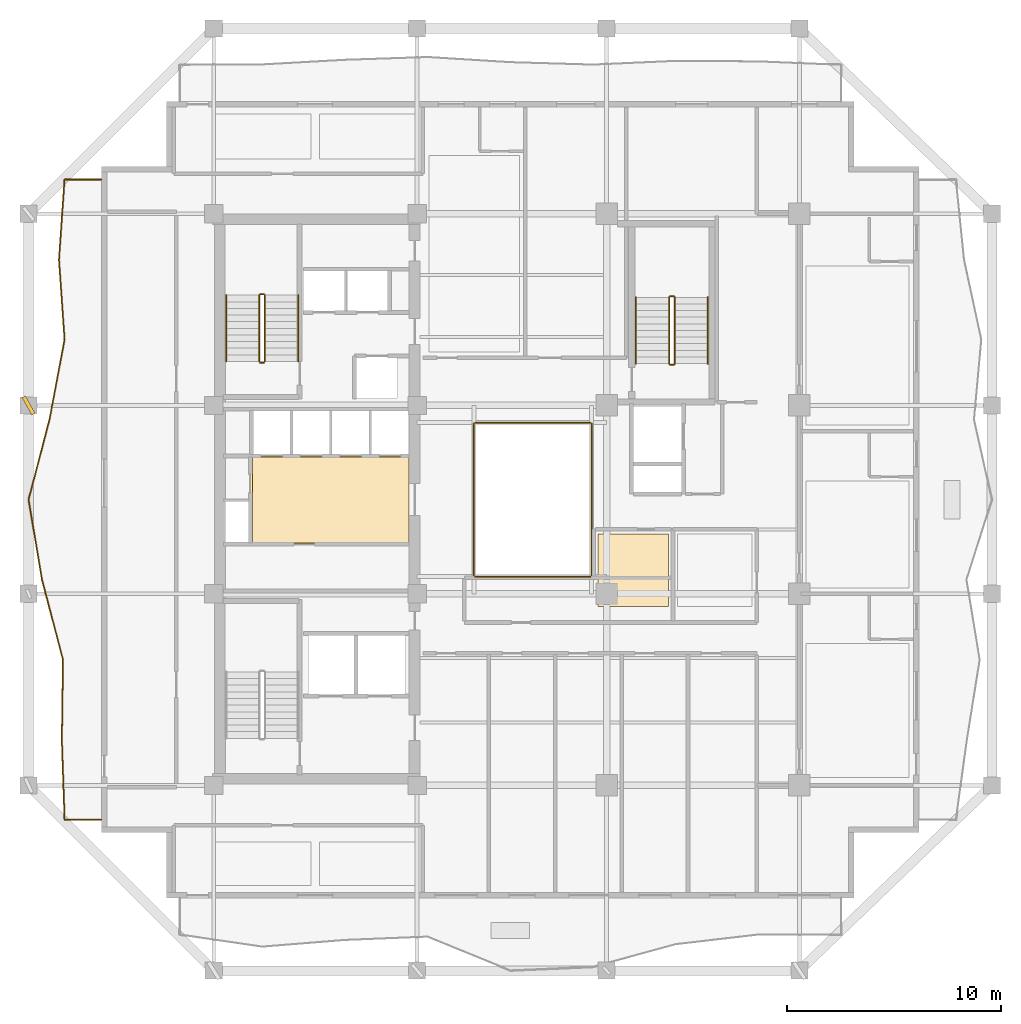
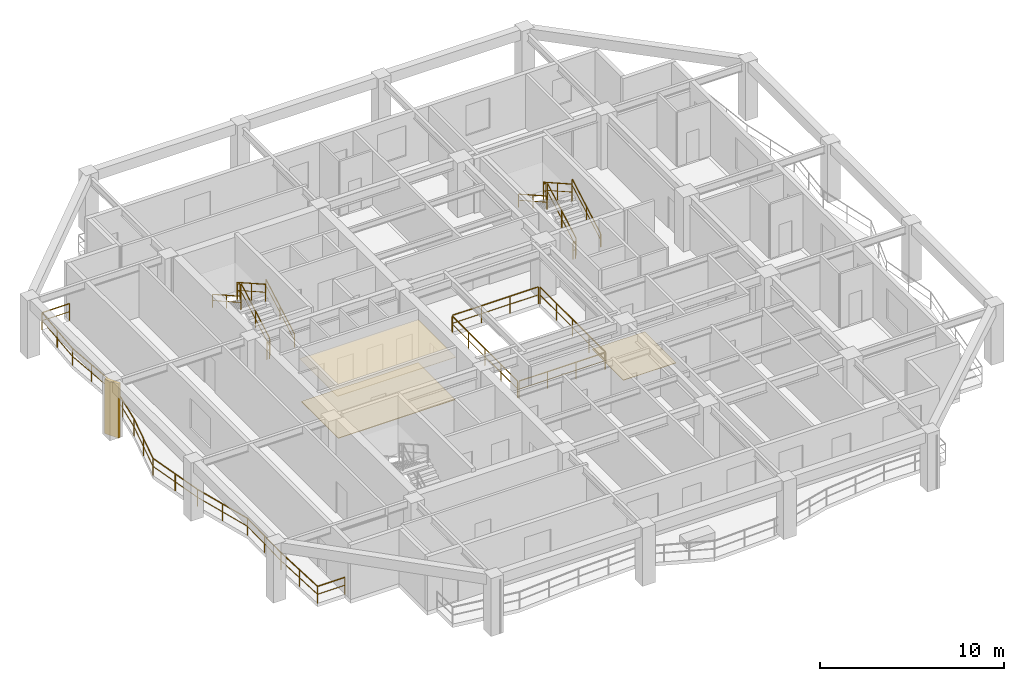
# One storey, part 8 of 10: 17 railings, 3 coverings, 1 shading device.
"""IFC4 building model written with IfcOpenShell, lengths in metres."""

from ifc_helpers import new_model, si_unit, direction, frame, origin, origin_2d, place, context, subcontext, project, spatial, polyline, rectangle, outline, extrude, material, layer, layer_set, type_object, element, save


model = new_model("IFC4")

# Units and contexts
model_context = context("Model", 3, precision=1e-05, world=origin(), true_north=direction((0.0, 1.0)))
body_context = subcontext(model_context, "Body", "Model", "MODEL_VIEW")
ifc_project = project(units=[si_unit("LENGTHUNIT", "METRE"), si_unit("AREAUNIT", "SQUARE_METRE"), si_unit("VOLUMEUNIT", "CUBIC_METRE"), si_unit("PLANEANGLEUNIT", "RADIAN"), si_unit("MASSUNIT", "GRAM", prefix="KILO")], contexts=[model_context])

# Site, building, storey
site_placement = place(None, origin())
site = spatial("IfcSite", under=ifc_project, at=site_placement, CompositionType="ELEMENT")
building_placement = place(site_placement, origin())
building = spatial("IfcBuilding", under=site, at=building_placement, Name="Kundavana Baori Tower", CompositionType="ELEMENT")
storey_placement = place(building_placement, frame((0.0, 0.0, 138.64990234375)))
storey = spatial("IfcBuildingStorey", under=building, at=storey_placement, Name="L33", CompositionType="ELEMENT", Elevation=138.64990234375)

# Coverings
ifc_material_1 = material(Name="Honed Kota Stone and Terrazzo Flooring", Category="masonry")
ifc_layer_1 = layer(ifc_material_1, 0.0400390625, Name="COV-FLR-TERR-40")
ifc_layer_set_1 = layer_set([ifc_layer_1], Name="Honed Kota Stone and Terrazzo Flooring")
covering_type_1 = type_object("IfcCoveringType", Name="COV-FLR-TERR-40", PredefinedType="FLOORING", material=ifc_layer_set_1)
covering_1_placement = place(storey_placement, origin())
element("IfcCovering", 1, at=covering_1_placement, inside=storey, type_object=covering_type_1, Name="L33 Core Lift Lobby Kota Stone Flooring", PredefinedType="FLOORING", context=body_context, shape_type="SweptSolid", body=[
    extrude(outline(polyline([(17.25, 26.580078125), (24.580078125, 26.580078125), (24.580078125, 30.60009765625), (17.25, 30.60009765625), (17.25, 26.580078125)])), origin(), (0.0, 0.0, 1.0), 0.0400390625),
])
ifc_material_2 = material(Name="Perforated Acoustic Mineral Fibre Ceiling Board")
ifc_layer_2 = layer(ifc_material_2, 0.02490234375, Name="COV-INT-CEIL")
ifc_layer_set_2 = layer_set([ifc_layer_2], Name="Perforated Acoustic Mineral Fibre Ceiling Board")
covering_type_2 = type_object("IfcCoveringType", Name="COV-INT-CEIL", PredefinedType="CEILING", material=ifc_layer_set_2)
covering_2_placement = place(storey_placement, frame((0.0, 0.0, 2.85009765625)))
element("IfcCovering", 2, at=covering_2_placement, inside=storey, type_object=covering_type_2, Name="L33 Core Lift Lobby Acoustic Ceiling", PredefinedType="CEILING", context=body_context, shape_type="SweptSolid", body=[
    extrude(outline(polyline([(17.159912109375, 26.52001953125), (24.580078125, 26.52001953125), (24.580078125, 30.639892578125), (17.159912109375, 30.639892578125), (17.159912109375, 26.52001953125)])), origin(), (0.0, 0.0, 1.0), 0.02490234375),
])
ifc_material_3 = material(Name="Honed Kota Stone and Terrazzo Flooring", Category="masonry")
ifc_layer_3 = layer(ifc_material_3, 0.030029296875, Name="COV-INT-FLR")
ifc_layer_set_3 = layer_set([ifc_layer_3], Name="Honed Kota Stone and Terrazzo Flooring")
covering_type_3 = type_object("IfcCoveringType", Name="COV-INT-FLR", PredefinedType="FLOORING", material=ifc_layer_set_3)
covering_3_placement = place(storey_placement, origin())
element("IfcCovering", 3, at=covering_3_placement, inside=storey, type_object=covering_type_3, Name="L33 Room Finished Stone Flooring 9", PredefinedType="FLOORING", context=body_context, shape_type="SweptSolid", body=[
    extrude(outline(polyline([(33.39990234375, 23.60009765625), (36.699951171875, 23.60009765625), (36.699951171875, 27.0), (33.39990234375, 27.0), (33.39990234375, 23.60009765625)])), origin(), (0.0, 0.0, 1.0), 0.030029296875),
])

# Railings
ifc_material_4 = material(Name="Architectural Patinated Bronze Metalwork")
railing_type_1 = type_object("IfcRailingType", Name="RL-BAL-1150", PredefinedType="BALUSTRADE", material=ifc_material_4)
railing_1_placement = place(storey_placement, frame((10.199951171875, 13.64990234375, 0.0)))
element("IfcRailing", 4, at=railing_1_placement, inside=storey, type_object=railing_type_1, Name="L33 Loggia Balcony Balustrade W", PredefinedType="BALUSTRADE", context=body_context, shape_type="SweptSolid", body=[
    extrude(rectangle(XDim=0.048095703125, YDim=0.048095703125, at=origin_2d()), frame((0.0, 0.0, 1.1259765625), z_axis=(-1.0, 0.0, 0.0), x_axis=(0.0, -1.0, 0.0)), (0.0, 0.0, 1.0), 1.719970703125),
    extrude(rectangle(XDim=0.03125, YDim=0.03125, at=origin_2d()), frame((0.0, 0.0, 0.597900390625), z_axis=(-1.0, 0.0, 0.0), x_axis=(0.0, -1.0, 0.0)), (0.0, 0.0, 1.0), 1.719970703125),
    extrude(rectangle(XDim=0.048095703125, YDim=0.048095703125, at=origin_2d()), frame((-1.719970703125, 0.0, 1.1259765625), z_axis=(-0.034212663327, 0.999414575473, 0.0), x_axis=(-0.999414575473, -0.034212663327, 0.0)), (0.0, 0.0, 1.0), 3.7392578125),
    extrude(rectangle(XDim=0.03125, YDim=0.03125, at=origin_2d()), frame((-1.719970703125, 0.0, 0.597900390625), z_axis=(-0.034212663327, 0.999414575473, 0.0), x_axis=(-0.999414575473, -0.034212663327, 0.0)), (0.0, 0.0, 1.0), 3.7392578125),
    extrude(rectangle(XDim=0.048095703125, YDim=0.048095703125, at=origin_2d()), frame((-1.847900390625, 3.737060546875, 1.1259765625), z_axis=(0.014171393705, 0.999899580758, 0.0), x_axis=(-0.999899580758, 0.014171393705, 0.0)), (0.0, 0.0, 1.0), 3.738525390625),
    extrude(rectangle(XDim=0.03125, YDim=0.03125, at=origin_2d()), frame((-1.847900390625, 3.737060546875, 0.597900390625), z_axis=(0.014171393705, 0.999899580758, 0.0), x_axis=(-0.999899580758, 0.014171393705, 0.0)), (0.0, 0.0, 1.0), 3.738525390625),
    extrude(rectangle(XDim=0.048095703125, YDim=0.048095703125, at=origin_2d()), frame((-1.794921875, 7.47509765625, 1.1259765625), z_axis=(-0.253892955805, 0.967232323174, 0.0), x_axis=(-0.967232323174, -0.253892955805, 0.0)), (0.0, 0.0, 1.0), 3.86376953125),
    extrude(rectangle(XDim=0.03125, YDim=0.03125, at=origin_2d()), frame((-1.794921875, 7.47509765625, 0.597900390625), z_axis=(-0.253892955805, 0.967232323174, 0.0), x_axis=(-0.967232323174, -0.253892955805, 0.0)), (0.0, 0.0, 1.0), 3.86376953125),
    extrude(rectangle(XDim=0.048095703125, YDim=0.048095703125, at=origin_2d()), frame((-2.77587890625, 11.212158203125, 1.1259765625), z_axis=(-0.164660147873, 0.986350361536, 0.0), x_axis=(-0.986350361536, -0.164660147873, 0.0)), (0.0, 0.0, 1.0), 3.789794921875),
    extrude(rectangle(XDim=0.03125, YDim=0.03125, at=origin_2d()), frame((-2.77587890625, 11.212158203125, 0.597900390625), z_axis=(-0.164660147873, 0.986350361536, 0.0), x_axis=(-0.986350361536, -0.164660147873, 0.0)), (0.0, 0.0, 1.0), 3.789794921875),
    extrude(rectangle(XDim=0.048095703125, YDim=0.048095703125, at=origin_2d()), frame((-3.39990234375, 14.9501953125, 1.1259765625), z_axis=(0.252192835957, 0.967676998534, 0.0), x_axis=(-0.967676998534, 0.252192835957, 0.0)), (0.0, 0.0, 1.0), 3.861572265625),
    extrude(rectangle(XDim=0.03125, YDim=0.03125, at=origin_2d()), frame((-3.39990234375, 14.9501953125, 0.597900390625), z_axis=(0.252192835957, 0.967676998534, 0.0), x_axis=(-0.967676998534, 0.252192835957, 0.0)), (0.0, 0.0, 1.0), 3.861572265625),
    extrude(rectangle(XDim=0.048095703125, YDim=0.048095703125, at=origin_2d()), frame((-2.426025390625, 18.68701171875, 1.1259765625), z_axis=(0.185354069741, 0.982671801178, 0.0), x_axis=(-0.982671801178, 0.185354069741, 0.0)), (0.0, 0.0, 1.0), 3.803955078125),
    extrude(rectangle(XDim=0.03125, YDim=0.03125, at=origin_2d()), frame((-2.426025390625, 18.68701171875, 0.597900390625), z_axis=(0.185354069741, 0.982671801178, 0.0), x_axis=(-0.982671801178, 0.185354069741, 0.0)), (0.0, 0.0, 1.0), 3.803955078125),
    extrude(rectangle(XDim=0.048095703125, YDim=0.048095703125, at=origin_2d()), frame((-1.720947265625, 22.425048828125, 1.1259765625), z_axis=(-0.069667642632, 0.997570257962, 0.0), x_axis=(-0.997570257962, -0.069667642632, 0.0)), (0.0, 0.0, 1.0), 3.74609375),
    extrude(rectangle(XDim=0.03125, YDim=0.03125, at=origin_2d()), frame((-1.720947265625, 22.425048828125, 0.597900390625), z_axis=(-0.069667642632, 0.997570257962, 0.0), x_axis=(-0.997570257962, -0.069667642632, 0.0)), (0.0, 0.0, 1.0), 3.74609375),
    extrude(rectangle(XDim=0.048095703125, YDim=0.048095703125, at=origin_2d()), frame((-1.98193359375, 26.162109375, 1.1259765625), z_axis=(0.069908874569, 0.997553381658, 0.0), x_axis=(-0.997553381658, 0.069908874569, 0.0)), (0.0, 0.0, 1.0), 3.747314453125),
    extrude(rectangle(XDim=0.03125, YDim=0.03125, at=origin_2d()), frame((-1.98193359375, 26.162109375, 0.597900390625), z_axis=(0.069908874569, 0.997553381658, 0.0), x_axis=(-0.997553381658, 0.069908874569, 0.0)), (0.0, 0.0, 1.0), 3.747314453125),
    extrude(rectangle(XDim=0.048095703125, YDim=0.048095703125, at=origin_2d()), frame((-1.719970703125, 29.900146484375, 1.1259765625), z_axis=(1.0, 0.0, 0.0), x_axis=(0.0, 1.0, 0.0)), (0.0, 0.0, 1.0), 1.719970703125),
    extrude(rectangle(XDim=0.03125, YDim=0.03125, at=origin_2d()), frame((-1.719970703125, 29.900146484375, 0.597900390625), z_axis=(1.0, 0.0, 0.0), x_axis=(0.0, 1.0, 0.0)), (0.0, 0.0, 1.0), 1.719970703125),
    extrude(rectangle(XDim=0.0419921875, YDim=0.0419921875, at=origin_2d()), origin(), (0.0, 0.0, 1.0), 1.101806640625),
    extrude(rectangle(XDim=0.0419921875, YDim=0.0419921875, at=origin_2d()), frame((-1.719970703125, 0.0, 0.0)), (0.0, 0.0, 1.0), 1.101806640625),
    extrude(rectangle(XDim=0.0419921875, YDim=0.0419921875, at=origin_2d()), frame((-1.783935546875, 1.86865234375, 0.0)), (0.0, 0.0, 1.0), 1.101806640625),
    extrude(rectangle(XDim=0.0419921875, YDim=0.0419921875, at=origin_2d()), frame((-1.847900390625, 3.737060546875, 0.0)), (0.0, 0.0, 1.0), 1.101806640625),
    extrude(rectangle(XDim=0.0419921875, YDim=0.0419921875, at=origin_2d()), frame((-1.8212890625, 5.60595703125, 0.0)), (0.0, 0.0, 1.0), 1.101806640625),
    extrude(rectangle(XDim=0.0419921875, YDim=0.0419921875, at=origin_2d()), frame((-1.794921875, 7.47509765625, 0.0)), (0.0, 0.0, 1.0), 1.101806640625),
    extrude(rectangle(XDim=0.0419921875, YDim=0.0419921875, at=origin_2d()), frame((-2.285400390625, 9.34375, 0.0)), (0.0, 0.0, 1.0), 1.101806640625),
    extrude(rectangle(XDim=0.0419921875, YDim=0.0419921875, at=origin_2d()), frame((-2.77587890625, 11.212158203125, 0.0)), (0.0, 0.0, 1.0), 1.101806640625),
    extrude(rectangle(XDim=0.0419921875, YDim=0.0419921875, at=origin_2d()), frame((-3.087890625, 13.0810546875, 0.0)), (0.0, 0.0, 1.0), 1.101806640625),
    extrude(rectangle(XDim=0.0419921875, YDim=0.0419921875, at=origin_2d()), frame((-3.39990234375, 14.9501953125, 0.0)), (0.0, 0.0, 1.0), 1.101806640625),
    extrude(rectangle(XDim=0.0419921875, YDim=0.0419921875, at=origin_2d()), frame((-2.9130859375, 16.818603515625, 0.0)), (0.0, 0.0, 1.0), 1.101806640625),
    extrude(rectangle(XDim=0.0419921875, YDim=0.0419921875, at=origin_2d()), frame((-2.426025390625, 18.68701171875, 0.0)), (0.0, 0.0, 1.0), 1.101806640625),
    extrude(rectangle(XDim=0.0419921875, YDim=0.0419921875, at=origin_2d()), frame((-2.073486328125, 20.55615234375, 0.0)), (0.0, 0.0, 1.0), 1.101806640625),
    extrude(rectangle(XDim=0.0419921875, YDim=0.0419921875, at=origin_2d()), frame((-1.720947265625, 22.425048828125, 0.0)), (0.0, 0.0, 1.0), 1.101806640625),
    extrude(rectangle(XDim=0.0419921875, YDim=0.0419921875, at=origin_2d()), frame((-1.8515625, 24.29345703125, 0.0)), (0.0, 0.0, 1.0), 1.101806640625),
    extrude(rectangle(XDim=0.0419921875, YDim=0.0419921875, at=origin_2d()), frame((-1.98193359375, 26.162109375, 0.0)), (0.0, 0.0, 1.0), 1.101806640625),
    extrude(rectangle(XDim=0.0419921875, YDim=0.0419921875, at=origin_2d()), frame((-1.85107421875, 28.03125, 0.0)), (0.0, 0.0, 1.0), 1.101806640625),
    extrude(rectangle(XDim=0.0419921875, YDim=0.0419921875, at=origin_2d()), frame((-1.719970703125, 29.900146484375, 0.0)), (0.0, 0.0, 1.0), 1.101806640625),
    extrude(rectangle(XDim=0.0419921875, YDim=0.0419921875, at=origin_2d()), frame((0.0, 29.900146484375, 0.0)), (0.0, 0.0, 1.0), 1.101806640625),
])
ifc_material_5 = material(Name="Architectural Patinated Bronze Metalwork")
railing_type_2 = type_object("IfcRailingType", Name="RL-GRD-1150", PredefinedType="GUARDRAIL", material=ifc_material_5)
railing_2_placement = place(storey_placement, frame((17.840087890625, 35.050048828125, 0.175048828125)))
element("IfcRailing", 5, at=railing_2_placement, inside=storey, type_object=railing_type_2, Name="L33 ST2 stair guard 1", PredefinedType="GUARDRAIL", context=body_context, shape_type="SweptSolid", body=[
    extrude(rectangle(XDim=0.048095703125, YDim=0.048095703125, at=origin_2d()), frame((0.0, 0.0, 1.1259765625), z_axis=(0.0, 0.870814364268, 0.491611984175), x_axis=(-1.0, 0.0, 0.0)), (0.0, 0.0, 1.0), 3.559814453125),
    extrude(rectangle(XDim=0.03125, YDim=0.03125, at=origin_2d()), frame((0.0, 0.0, 0.597900390625), z_axis=(0.0, 0.870814364268, 0.491611984175), x_axis=(-1.0, 0.0, 0.0)), (0.0, 0.0, 1.0), 3.559814453125),
    extrude(rectangle(XDim=0.0419921875, YDim=0.0419921875, at=origin_2d()), origin(), (0.0, 0.0, 1.0), 1.101806640625),
    extrude(rectangle(XDim=0.0419921875, YDim=0.0419921875, at=origin_2d()), frame((0.0, 1.5498046875, 0.875)), (0.0, 0.0, 1.0), 1.101806640625),
    extrude(rectangle(XDim=0.0419921875, YDim=0.0419921875, at=origin_2d()), frame((0.0, 3.099853515625, 1.75)), (0.0, 0.0, 1.0), 1.101806640625),
])
railing_3_placement = place(storey_placement, frame((17.7900390625, 38.199951171875, 1.925048828125)))
element("IfcRailing", 6, at=railing_3_placement, inside=storey, type_object=railing_type_2, Name="L33 ST2 stair guard 2", PredefinedType="GUARDRAIL", context=body_context, shape_type="SweptSolid", body=[
    extrude(rectangle(XDim=0.048095703125, YDim=0.048095703125, at=origin_2d()), frame((0.0, 0.0, 1.1259765625), z_axis=(-1.0, 0.0, 0.0), x_axis=(0.0, -1.0, 0.0)), (0.0, 0.0, 1.0), 0.16015625),
    extrude(rectangle(XDim=0.03125, YDim=0.03125, at=origin_2d()), frame((0.0, 0.0, 0.597900390625), z_axis=(-1.0, 0.0, 0.0), x_axis=(0.0, -1.0, 0.0)), (0.0, 0.0, 1.0), 0.16015625),
    extrude(rectangle(XDim=0.0419921875, YDim=0.0419921875, at=origin_2d()), origin(), (0.0, 0.0, 1.0), 1.101806640625),
    extrude(rectangle(XDim=0.0419921875, YDim=0.0419921875, at=origin_2d()), frame((-0.16015625, 0.0, 0.0)), (0.0, 0.0, 1.0), 1.101806640625),
])
railing_4_placement = place(storey_placement, frame((17.580078125, 38.14990234375, 2.10009765625)))
element("IfcRailing", 7, at=railing_4_placement, inside=storey, type_object=railing_type_2, Name="L33 ST2 stair guard 3", PredefinedType="GUARDRAIL", context=body_context, shape_type="SweptSolid", body=[
    extrude(rectangle(XDim=0.048095703125, YDim=0.048095703125, at=origin_2d()), frame((0.0, 0.0, 1.1259765625), z_axis=(0.0, -0.870814364268, 0.491611984175), x_axis=(1.0, 0.0, 0.0)), (0.0, 0.0, 1.0), 3.559814453125),
    extrude(rectangle(XDim=0.03125, YDim=0.03125, at=origin_2d()), frame((0.0, 0.0, 0.597900390625), z_axis=(0.0, -0.870814364268, 0.491611984175), x_axis=(1.0, 0.0, 0.0)), (0.0, 0.0, 1.0), 3.559814453125),
    extrude(rectangle(XDim=0.0419921875, YDim=0.0419921875, at=origin_2d()), origin(), (0.0, 0.0, 1.0), 1.101806640625),
    extrude(rectangle(XDim=0.0419921875, YDim=0.0419921875, at=origin_2d()), frame((0.0, -1.5498046875, 0.875)), (0.0, 0.0, 1.0), 1.101806640625),
    extrude(rectangle(XDim=0.0419921875, YDim=0.0419921875, at=origin_2d()), frame((0.0, -3.099853515625, 1.75)), (0.0, 0.0, 1.0), 1.101806640625),
])
railing_5_placement = place(storey_placement, frame((17.7900390625, 35.0, 0.0)))
element("IfcRailing", 8, at=railing_5_placement, inside=storey, type_object=railing_type_2, Name="L33 ST2 stair guard 4", PredefinedType="GUARDRAIL", context=body_context, shape_type="SweptSolid", body=[
    extrude(rectangle(XDim=0.048095703125, YDim=0.048095703125, at=origin_2d()), frame((0.0, 0.0, 1.1259765625), z_axis=(-1.0, 0.0, 0.0), x_axis=(0.0, -1.0, 0.0)), (0.0, 0.0, 1.0), 0.16015625),
    extrude(rectangle(XDim=0.03125, YDim=0.03125, at=origin_2d()), frame((0.0, 0.0, 0.597900390625), z_axis=(-1.0, 0.0, 0.0), x_axis=(0.0, -1.0, 0.0)), (0.0, 0.0, 1.0), 0.16015625),
    extrude(rectangle(XDim=0.0419921875, YDim=0.0419921875, at=origin_2d()), origin(), (0.0, 0.0, 1.0), 1.101806640625),
    extrude(rectangle(XDim=0.0419921875, YDim=0.0419921875, at=origin_2d()), frame((-0.16015625, 0.0, 0.0)), (0.0, 0.0, 1.0), 1.101806640625),
])
railing_6_placement = place(storey_placement, frame((36.97998046875, 34.949951171875, 0.175048828125)))
element("IfcRailing", 9, at=railing_6_placement, inside=storey, type_object=railing_type_2, Name="L33 ST3 stair guard 1", PredefinedType="GUARDRAIL", context=body_context, shape_type="SweptSolid", body=[
    extrude(rectangle(XDim=0.048095703125, YDim=0.048095703125, at=origin_2d()), frame((0.0, 0.0, 1.1259765625), z_axis=(0.0, 0.870830938388, 0.491582624537), x_axis=(-1.0, 0.0, 0.0)), (0.0, 0.0, 1.0), 3.559814453125),
    extrude(rectangle(XDim=0.03125, YDim=0.03125, at=origin_2d()), frame((0.0, 0.0, 0.597900390625), z_axis=(0.0, 0.870830938388, 0.491582624537), x_axis=(-1.0, 0.0, 0.0)), (0.0, 0.0, 1.0), 3.559814453125),
    extrude(rectangle(XDim=0.0419921875, YDim=0.0419921875, at=origin_2d()), origin(), (0.0, 0.0, 1.0), 1.101806640625),
    extrude(rectangle(XDim=0.0419921875, YDim=0.0419921875, at=origin_2d()), frame((0.0, 1.550048828125, 0.875)), (0.0, 0.0, 1.0), 1.101806640625),
    extrude(rectangle(XDim=0.0419921875, YDim=0.0419921875, at=origin_2d()), frame((0.0, 3.10009765625, 1.75)), (0.0, 0.0, 1.0), 1.101806640625),
])
railing_7_placement = place(storey_placement, frame((36.929931640625, 38.10009765625, 1.925048828125)))
element("IfcRailing", 10, at=railing_7_placement, inside=storey, type_object=railing_type_2, Name="L33 ST3 stair guard 2", PredefinedType="GUARDRAIL", context=body_context, shape_type="SweptSolid", body=[
    extrude(rectangle(XDim=0.048095703125, YDim=0.048095703125, at=origin_2d()), frame((0.0, 0.0, 1.1259765625), z_axis=(-1.0, 0.0, 0.0), x_axis=(0.0, -1.0, 0.0)), (0.0, 0.0, 1.0), 0.159912109375),
    extrude(rectangle(XDim=0.03125, YDim=0.03125, at=origin_2d()), frame((0.0, 0.0, 0.597900390625), z_axis=(-1.0, 0.0, 0.0), x_axis=(0.0, -1.0, 0.0)), (0.0, 0.0, 1.0), 0.159912109375),
    extrude(rectangle(XDim=0.0419921875, YDim=0.0419921875, at=origin_2d()), origin(), (0.0, 0.0, 1.0), 1.101806640625),
    extrude(rectangle(XDim=0.0419921875, YDim=0.0419921875, at=origin_2d()), frame((-0.159912109375, 0.0, 0.0)), (0.0, 0.0, 1.0), 1.101806640625),
])
railing_8_placement = place(storey_placement, frame((36.719970703125, 38.050048828125, 2.10009765625)))
element("IfcRailing", 11, at=railing_8_placement, inside=storey, type_object=railing_type_2, Name="L33 ST3 stair guard 3", PredefinedType="GUARDRAIL", context=body_context, shape_type="SweptSolid", body=[
    extrude(rectangle(XDim=0.048095703125, YDim=0.048095703125, at=origin_2d()), frame((0.0, 0.0, 1.1259765625), z_axis=(0.0, -0.870830938388, 0.491582624537), x_axis=(1.0, 0.0, 0.0)), (0.0, 0.0, 1.0), 3.559814453125),
    extrude(rectangle(XDim=0.03125, YDim=0.03125, at=origin_2d()), frame((0.0, 0.0, 0.597900390625), z_axis=(0.0, -0.870830938388, 0.491582624537), x_axis=(1.0, 0.0, 0.0)), (0.0, 0.0, 1.0), 3.559814453125),
    extrude(rectangle(XDim=0.0419921875, YDim=0.0419921875, at=origin_2d()), origin(), (0.0, 0.0, 1.0), 1.101806640625),
    extrude(rectangle(XDim=0.0419921875, YDim=0.0419921875, at=origin_2d()), frame((0.0, -1.550048828125, 0.875)), (0.0, 0.0, 1.0), 1.101806640625),
    extrude(rectangle(XDim=0.0419921875, YDim=0.0419921875, at=origin_2d()), frame((0.0, -3.10009765625, 1.75)), (0.0, 0.0, 1.0), 1.101806640625),
])
railing_9_placement = place(storey_placement, frame((36.929931640625, 34.89990234375, 0.0)))
element("IfcRailing", 12, at=railing_9_placement, inside=storey, type_object=railing_type_2, Name="L33 ST3 stair guard 4", PredefinedType="GUARDRAIL", context=body_context, shape_type="SweptSolid", body=[
    extrude(rectangle(XDim=0.048095703125, YDim=0.048095703125, at=origin_2d()), frame((0.0, 0.0, 1.1259765625), z_axis=(-1.0, 0.0, 0.0), x_axis=(0.0, -1.0, 0.0)), (0.0, 0.0, 1.0), 0.159912109375),
    extrude(rectangle(XDim=0.03125, YDim=0.03125, at=origin_2d()), frame((0.0, 0.0, 0.597900390625), z_axis=(-1.0, 0.0, 0.0), x_axis=(0.0, -1.0, 0.0)), (0.0, 0.0, 1.0), 0.159912109375),
    extrude(rectangle(XDim=0.0419921875, YDim=0.0419921875, at=origin_2d()), origin(), (0.0, 0.0, 1.0), 1.101806640625),
    extrude(rectangle(XDim=0.0419921875, YDim=0.0419921875, at=origin_2d()), frame((-0.159912109375, 0.0, 0.0)), (0.0, 0.0, 1.0), 1.101806640625),
])
railing_10_placement = place(storey_placement, frame((27.659912109375, 25.0, 0.0)))
element("IfcRailing", 13, at=railing_10_placement, inside=storey, type_object=railing_type_2, Name="L33 Atrium Void Perimeter Guardrail S", PredefinedType="GUARDRAIL", context=body_context, shape_type="SweptSolid", body=[
    extrude(rectangle(XDim=0.048095703125, YDim=0.048095703125, at=origin_2d()), frame((0.0, 0.0, 1.1259765625), z_axis=(1.0, 0.0, 0.0), x_axis=(0.0, 1.0, 0.0)), (0.0, 0.0, 1.0), 5.380126953125),
    extrude(rectangle(XDim=0.03125, YDim=0.03125, at=origin_2d()), frame((0.0, 0.0, 0.597900390625), z_axis=(1.0, 0.0, 0.0), x_axis=(0.0, 1.0, 0.0)), (0.0, 0.0, 1.0), 5.380126953125),
    extrude(rectangle(XDim=0.0419921875, YDim=0.0419921875, at=origin_2d()), origin(), (0.0, 0.0, 1.0), 1.101806640625),
    extrude(rectangle(XDim=0.0419921875, YDim=0.0419921875, at=origin_2d()), frame((1.79345703125, 0.0, 0.0)), (0.0, 0.0, 1.0), 1.101806640625),
    extrude(rectangle(XDim=0.0419921875, YDim=0.0419921875, at=origin_2d()), frame((3.586669921875, 0.0, 0.0)), (0.0, 0.0, 1.0), 1.101806640625),
    extrude(rectangle(XDim=0.0419921875, YDim=0.0419921875, at=origin_2d()), frame((5.380126953125, 0.0, 0.0)), (0.0, 0.0, 1.0), 1.101806640625),
])
railing_11_placement = place(storey_placement, frame((33.10009765625, 25.06005859375, 0.0)))
element("IfcRailing", 14, at=railing_11_placement, inside=storey, type_object=railing_type_2, Name="L33 Atrium Void Perimeter Guardrail E", PredefinedType="GUARDRAIL", context=body_context, shape_type="SweptSolid", body=[
    extrude(rectangle(XDim=0.048095703125, YDim=0.048095703125, at=origin_2d()), frame((0.0, 0.0, 1.1259765625), z_axis=(0.0, 1.0, 0.0), x_axis=(-1.0, 0.0, 0.0)), (0.0, 0.0, 1.0), 7.079833984375),
    extrude(rectangle(XDim=0.03125, YDim=0.03125, at=origin_2d()), frame((0.0, 0.0, 0.597900390625), z_axis=(0.0, 1.0, 0.0), x_axis=(-1.0, 0.0, 0.0)), (0.0, 0.0, 1.0), 7.079833984375),
    extrude(rectangle(XDim=0.0419921875, YDim=0.0419921875, at=origin_2d()), origin(), (0.0, 0.0, 1.0), 1.101806640625),
    extrude(rectangle(XDim=0.0419921875, YDim=0.0419921875, at=origin_2d()), frame((0.0, 1.77001953125, 0.0)), (0.0, 0.0, 1.0), 1.101806640625),
    extrude(rectangle(XDim=0.0419921875, YDim=0.0419921875, at=origin_2d()), frame((0.0, 3.5400390625, 0.0)), (0.0, 0.0, 1.0), 1.101806640625),
    extrude(rectangle(XDim=0.0419921875, YDim=0.0419921875, at=origin_2d()), frame((0.0, 5.309814453125, 0.0)), (0.0, 0.0, 1.0), 1.101806640625),
    extrude(rectangle(XDim=0.0419921875, YDim=0.0419921875, at=origin_2d()), frame((0.0, 7.079833984375, 0.0)), (0.0, 0.0, 1.0), 1.101806640625),
])
railing_12_placement = place(storey_placement, frame((33.0400390625, 32.199951171875, 0.0)))
element("IfcRailing", 15, at=railing_12_placement, inside=storey, type_object=railing_type_2, Name="L33 Atrium Void Perimeter Guardrail N", PredefinedType="GUARDRAIL", context=body_context, shape_type="SweptSolid", body=[
    extrude(rectangle(XDim=0.048095703125, YDim=0.048095703125, at=origin_2d()), frame((0.0, 0.0, 1.1259765625), z_axis=(-1.0, 0.0, 0.0), x_axis=(0.0, -1.0, 0.0)), (0.0, 0.0, 1.0), 5.380126953125),
    extrude(rectangle(XDim=0.03125, YDim=0.03125, at=origin_2d()), frame((0.0, 0.0, 0.597900390625), z_axis=(-1.0, 0.0, 0.0), x_axis=(0.0, -1.0, 0.0)), (0.0, 0.0, 1.0), 5.380126953125),
    extrude(rectangle(XDim=0.0419921875, YDim=0.0419921875, at=origin_2d()), origin(), (0.0, 0.0, 1.0), 1.101806640625),
    extrude(rectangle(XDim=0.0419921875, YDim=0.0419921875, at=origin_2d()), frame((-1.79345703125, 0.0, 0.0)), (0.0, 0.0, 1.0), 1.101806640625),
    extrude(rectangle(XDim=0.0419921875, YDim=0.0419921875, at=origin_2d()), frame((-3.586669921875, 0.0, 0.0)), (0.0, 0.0, 1.0), 1.101806640625),
    extrude(rectangle(XDim=0.0419921875, YDim=0.0419921875, at=origin_2d()), frame((-5.380126953125, 0.0, 0.0)), (0.0, 0.0, 1.0), 1.101806640625),
])
railing_13_placement = place(storey_placement, frame((27.60009765625, 32.139892578125, 0.0)))
element("IfcRailing", 16, at=railing_13_placement, inside=storey, type_object=railing_type_2, Name="L33 Atrium Void Perimeter Guardrail W", PredefinedType="GUARDRAIL", context=body_context, shape_type="SweptSolid", body=[
    extrude(rectangle(XDim=0.048095703125, YDim=0.048095703125, at=origin_2d()), frame((0.0, 0.0, 1.1259765625), z_axis=(0.0, -1.0, 0.0), x_axis=(1.0, 0.0, 0.0)), (0.0, 0.0, 1.0), 7.079833984375),
    extrude(rectangle(XDim=0.03125, YDim=0.03125, at=origin_2d()), frame((0.0, 0.0, 0.597900390625), z_axis=(0.0, -1.0, 0.0), x_axis=(1.0, 0.0, 0.0)), (0.0, 0.0, 1.0), 7.079833984375),
    extrude(rectangle(XDim=0.0419921875, YDim=0.0419921875, at=origin_2d()), origin(), (0.0, 0.0, 1.0), 1.101806640625),
    extrude(rectangle(XDim=0.0419921875, YDim=0.0419921875, at=origin_2d()), frame((0.0, -1.77001953125, 0.0)), (0.0, 0.0, 1.0), 1.101806640625),
    extrude(rectangle(XDim=0.0419921875, YDim=0.0419921875, at=origin_2d()), frame((0.0, -3.5400390625, 0.0)), (0.0, 0.0, 1.0), 1.101806640625),
    extrude(rectangle(XDim=0.0419921875, YDim=0.0419921875, at=origin_2d()), frame((0.0, -5.309814453125, 0.0)), (0.0, 0.0, 1.0), 1.101806640625),
    extrude(rectangle(XDim=0.0419921875, YDim=0.0419921875, at=origin_2d()), frame((0.0, -7.079833984375, 0.0)), (0.0, 0.0, 1.0), 1.101806640625),
])
ifc_material_6 = material(Name="Architectural Patinated Bronze Metalwork")
railing_type_3 = type_object("IfcRailingType", Name="RL-HND-920", PredefinedType="HANDRAIL", material=ifc_material_6)
railing_14_placement = place(storey_placement, frame((19.389892578125, 35.050048828125, 0.175048828125)))
element("IfcRailing", 17, at=railing_14_placement, inside=storey, type_object=railing_type_3, Name="L33 ST2 stair handrail 1", PredefinedType="HANDRAIL", context=body_context, shape_type="SweptSolid", body=[
    extrude(rectangle(XDim=0.048095703125, YDim=0.048095703125, at=origin_2d()), frame((0.0, 0.0, 0.8759765625), z_axis=(0.0, 0.870814364268, 0.491611984175), x_axis=(-1.0, 0.0, 0.0)), (0.0, 0.0, 1.0), 3.559814453125),
    extrude(rectangle(XDim=0.03125, YDim=0.03125, at=origin_2d()), frame((0.0, 0.0, 0.468017578125), z_axis=(0.0, 0.870814364268, 0.491611984175), x_axis=(-1.0, 0.0, 0.0)), (0.0, 0.0, 1.0), 3.559814453125),
    extrude(rectangle(XDim=0.0419921875, YDim=0.0419921875, at=origin_2d()), origin(), (0.0, 0.0, 1.0), 0.851806640625),
    extrude(rectangle(XDim=0.0419921875, YDim=0.0419921875, at=origin_2d()), frame((0.0, 1.5498046875, 0.875)), (0.0, 0.0, 1.0), 0.851806640625),
    extrude(rectangle(XDim=0.0419921875, YDim=0.0419921875, at=origin_2d()), frame((0.0, 3.099853515625, 1.75)), (0.0, 0.0, 1.0), 0.851806640625),
])
railing_15_placement = place(storey_placement, frame((16.030029296875, 38.14990234375, 2.10009765625)))
element("IfcRailing", 18, at=railing_15_placement, inside=storey, type_object=railing_type_3, Name="L33 ST2 stair handrail 2", PredefinedType="HANDRAIL", context=body_context, shape_type="SweptSolid", body=[
    extrude(rectangle(XDim=0.048095703125, YDim=0.048095703125, at=origin_2d()), frame((0.0, 0.0, 0.8759765625), z_axis=(0.0, -0.870814364268, 0.491611984175), x_axis=(1.0, 0.0, 0.0)), (0.0, 0.0, 1.0), 3.559814453125),
    extrude(rectangle(XDim=0.03125, YDim=0.03125, at=origin_2d()), frame((0.0, 0.0, 0.468017578125), z_axis=(0.0, -0.870814364268, 0.491611984175), x_axis=(1.0, 0.0, 0.0)), (0.0, 0.0, 1.0), 3.559814453125),
    extrude(rectangle(XDim=0.0419921875, YDim=0.0419921875, at=origin_2d()), origin(), (0.0, 0.0, 1.0), 0.851806640625),
    extrude(rectangle(XDim=0.0419921875, YDim=0.0419921875, at=origin_2d()), frame((0.0, -1.5498046875, 0.875)), (0.0, 0.0, 1.0), 0.851806640625),
    extrude(rectangle(XDim=0.0419921875, YDim=0.0419921875, at=origin_2d()), frame((0.0, -3.099853515625, 1.75)), (0.0, 0.0, 1.0), 0.851806640625),
])
railing_16_placement = place(storey_placement, frame((38.530029296875, 34.949951171875, 0.175048828125)))
element("IfcRailing", 19, at=railing_16_placement, inside=storey, type_object=railing_type_3, Name="L33 ST3 stair handrail 1", PredefinedType="HANDRAIL", context=body_context, shape_type="SweptSolid", body=[
    extrude(rectangle(XDim=0.048095703125, YDim=0.048095703125, at=origin_2d()), frame((0.0, 0.0, 0.8759765625), z_axis=(0.0, 0.870830938388, 0.491582624537), x_axis=(-1.0, 0.0, 0.0)), (0.0, 0.0, 1.0), 3.559814453125),
    extrude(rectangle(XDim=0.03125, YDim=0.03125, at=origin_2d()), frame((0.0, 0.0, 0.468017578125), z_axis=(0.0, 0.870830938388, 0.491582624537), x_axis=(-1.0, 0.0, 0.0)), (0.0, 0.0, 1.0), 3.559814453125),
    extrude(rectangle(XDim=0.0419921875, YDim=0.0419921875, at=origin_2d()), origin(), (0.0, 0.0, 1.0), 0.851806640625),
    extrude(rectangle(XDim=0.0419921875, YDim=0.0419921875, at=origin_2d()), frame((0.0, 1.550048828125, 0.875)), (0.0, 0.0, 1.0), 0.851806640625),
    extrude(rectangle(XDim=0.0419921875, YDim=0.0419921875, at=origin_2d()), frame((0.0, 3.10009765625, 1.75)), (0.0, 0.0, 1.0), 0.851806640625),
])
railing_17_placement = place(storey_placement, frame((35.169921875, 38.050048828125, 2.10009765625)))
element("IfcRailing", 20, at=railing_17_placement, inside=storey, type_object=railing_type_3, Name="L33 ST3 stair handrail 2", PredefinedType="HANDRAIL", context=body_context, shape_type="SweptSolid", body=[
    extrude(rectangle(XDim=0.048095703125, YDim=0.048095703125, at=origin_2d()), frame((0.0, 0.0, 0.8759765625), z_axis=(0.0, -0.870830938388, 0.491582624537), x_axis=(1.0, 0.0, 0.0)), (0.0, 0.0, 1.0), 3.559814453125),
    extrude(rectangle(XDim=0.03125, YDim=0.03125, at=origin_2d()), frame((0.0, 0.0, 0.468017578125), z_axis=(0.0, -0.870830938388, 0.491582624537), x_axis=(1.0, 0.0, 0.0)), (0.0, 0.0, 1.0), 3.559814453125),
    extrude(rectangle(XDim=0.0419921875, YDim=0.0419921875, at=origin_2d()), origin(), (0.0, 0.0, 1.0), 0.851806640625),
    extrude(rectangle(XDim=0.0419921875, YDim=0.0419921875, at=origin_2d()), frame((0.0, -1.550048828125, 0.875)), (0.0, 0.0, 1.0), 0.851806640625),
    extrude(rectangle(XDim=0.0419921875, YDim=0.0419921875, at=origin_2d()), frame((0.0, -3.10009765625, 1.75)), (0.0, 0.0, 1.0), 0.851806640625),
])

# Shading device
ifc_material_7 = material(Name="Red-Buff Dholpur Sandstone Cladding on Concrete C40/50", Category="masonry")
shading_device_type = type_object("IfcShadingDeviceType", Name="SHD-FIN-920", PredefinedType="JALOUSIE", material=ifc_material_7)
shading_device_placement = place(storey_placement, frame((6.800048828125, 33.0, 0.0), z_axis=(0.0, 0.0, 1.0), x_axis=(0.874196297957, 0.485572685227, 0.0)))
element("IfcShadingDevice", 21, at=shading_device_placement, inside=storey, type_object=shading_device_type, Name="L33 Sweeping Dholpur Sandstone Facade Fin 7", PredefinedType="JALOUSIE", context=body_context, shape_type="SweptSolid", body=[
    extrude(rectangle(XDim=0.179931640625, YDim=0.919921875, at=origin_2d()), origin(), (0.0, 0.0, 1.0), 3.60009765625),
])

save(model, "model.ifc")
